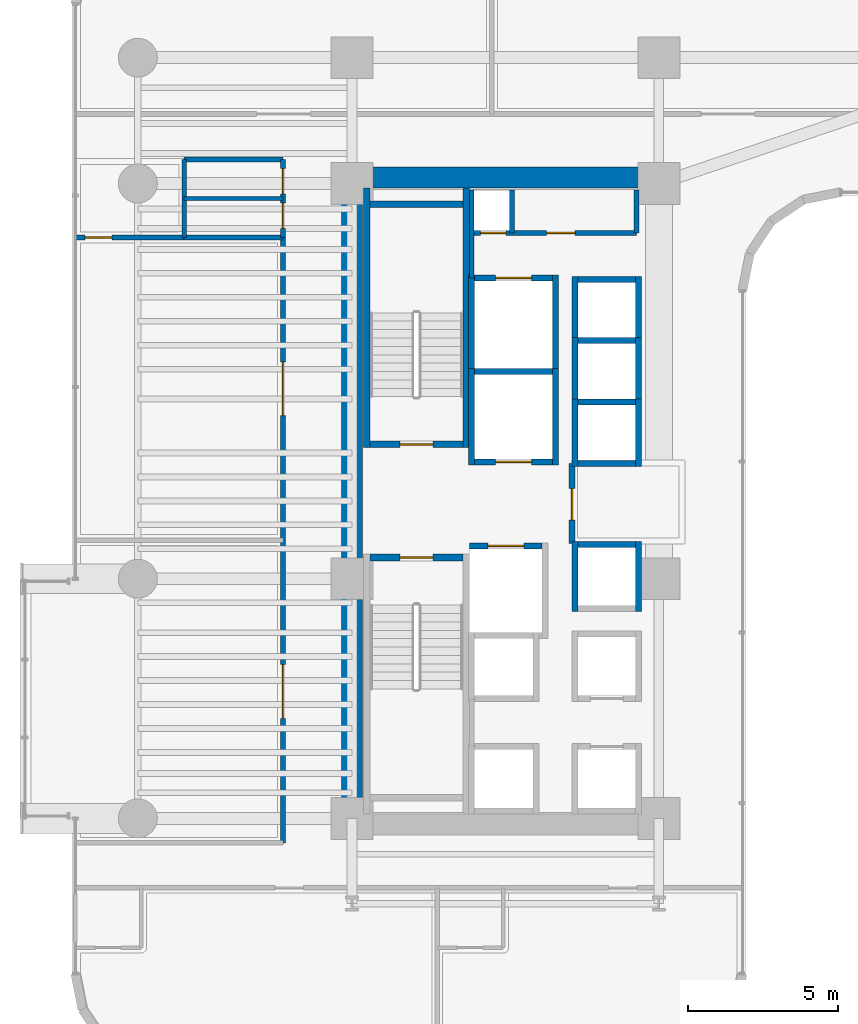
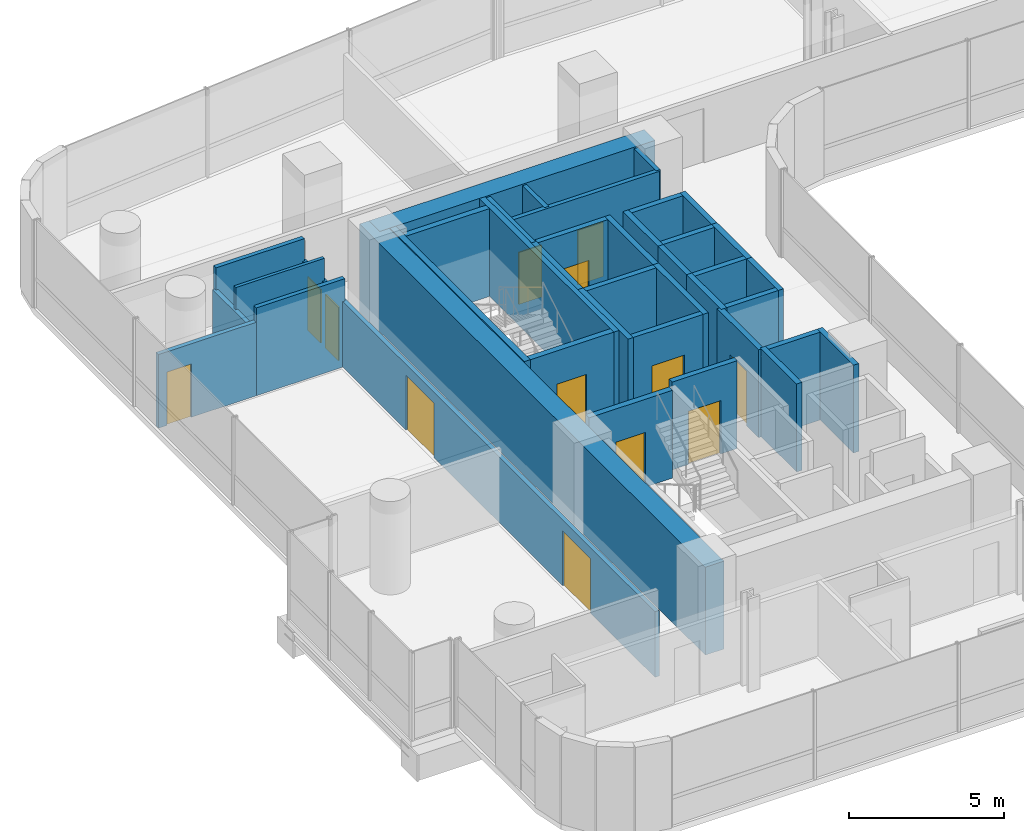
# One storey, part 31 of 40: 40 walls, 13 doors, 13 openings.
"""IFC4 building model written with IfcOpenShell, lengths in metres."""

from ifc_helpers import new_model, si_unit, direction, frame, frame_2d, origin, place, context, subcontext, project, spatial, rectangle, extrude, material, layer, layer_set, type_object, element, fill, save


model = new_model("IFC4")

# Units and contexts
model_context = context("Model", 3, precision=1e-05, world=origin(), true_north=direction((0.0, 1.0)))
body_context = subcontext(model_context, "Body", "Model", "MODEL_VIEW")
ifc_project = project(units=[si_unit("LENGTHUNIT", "METRE"), si_unit("AREAUNIT", "SQUARE_METRE"), si_unit("VOLUMEUNIT", "CUBIC_METRE"), si_unit("PLANEANGLEUNIT", "RADIAN"), si_unit("MASSUNIT", "GRAM", prefix="KILO")], contexts=[model_context])

# Site, building, storey
site_placement = place(None, origin())
site = spatial("IfcSite", under=ifc_project, at=site_placement, CompositionType="ELEMENT")
building_placement = place(site_placement, origin())
building = spatial("IfcBuilding", under=site, at=building_placement, Name="Valdorenza Pilgrim Sanctuary Tower", CompositionType="ELEMENT")
storey_placement = place(building_placement, frame((0.0, 0.0, 66.699951171875)))
storey = spatial("IfcBuildingStorey", under=building, at=storey_placement, Name="L16", CompositionType="ELEMENT", Elevation=66.699951171875)

# Wall
ifc_material_1 = material(Name="Acoustic twin-stud gypsum partition", Category="gypsum")
ifc_layer_1 = layer(ifc_material_1, 0.159912109375, Name="Acoustic twin-stud gypsum partition")
ifc_layer_set_1 = layer_set([ifc_layer_1], Name="Acoustic twin-stud gypsum partition")
wall_type_1 = type_object("IfcWallType", Name="WAL-COR-160", PredefinedType="PARTITIONING", material=ifc_layer_set_1)
wall_1_placement = place(storey_placement, frame((-18.64990234375, 7.449951171875, 0.0), z_axis=(0.0, 0.0, 1.0), x_axis=(0.0, 1.0, 0.0)))
element("IfcWall", 1, at=wall_1_placement, inside=storey, type_object=wall_type_1, Name="L16 Core A North Service West Wall", PredefinedType="PARTITIONING", context=body_context, shape_type="SweptSolid", body=[
    extrude(rectangle(XDim=2.929931640625, YDim=0.159912109375, at=frame_2d((1.46484375, 0.0))), origin(), (0.0, 0.0, 1.0), 3.4599609375),
])

# Wall, openings, doors
wall_2_placement = place(storey_placement, frame((-18.64990234375, 8.949951171875, 0.0), z_axis=(0.0, 0.0, 1.0), x_axis=(1.0, 0.0, 0.0)))
wall_2 = element("IfcWall", 2, at=wall_2_placement, inside=storey, type_object=wall_type_1, Name="L16 Core A North Service South Wall", PredefinedType="PARTITIONING", context=body_context, shape_type="SweptSolid", body=[
    extrude(rectangle(XDim=5.5, YDim=0.159912109375, at=frame_2d((2.75, 0.0))), origin(), (0.0, 0.0, 1.0), 3.4599609375),
])
opening_1_placement = place(wall_2_placement, frame((0.300048828125, 0.0, 0.0)))
opening_1 = element("IfcOpeningElement", 3, at=opening_1_placement, cuts=wall_2, Name="Opening DR-RS1", PredefinedType="OPENING", context=body_context, shape_type="SweptSolid", body=[
    extrude(rectangle(XDim=0.85009765625, YDim=2.050048828125, at=frame_2d((0.425048828125, 1.02490234375))), frame((0.0, 0.0947265625, 0.0), z_axis=(0.0, -1.0, 0.0), x_axis=(1.0, 0.0, 0.0)), (0.0, 0.0, 1.0), 0.189697265625),
])
opening_2_placement = place(wall_2_placement, frame((2.5, 0.0, 0.0)))
opening_2 = element("IfcOpeningElement", 4, at=opening_2_placement, cuts=wall_2, Name="Opening DR-UN1", PredefinedType="OPENING", context=body_context, shape_type="SweptSolid", body=[
    extrude(rectangle(XDim=0.949951171875, YDim=2.14990234375, at=frame_2d((0.47509765625, 1.074951171875))), frame((0.0, 0.0947265625, 0.0), z_axis=(0.0, -1.0, 0.0), x_axis=(1.0, 0.0, 0.0)), (0.0, 0.0, 1.0), 0.189697265625),
])
ifc_material_2 = material(Name="Painted galvanized steel", Category="steel")
door_type_1 = type_object("IfcDoorType", Name="DR-RSR-850", OperationType="NOTDEFINED", PredefinedType="DOOR", material=ifc_material_2)
door_1_placement = place(opening_1_placement, origin())
door_1 = element("IfcDoor", 5, at=door_1_placement, inside=storey, type_object=door_type_1, Name="L16 Core Electrical and Telecom Riser Door", OperationType="SINGLE_SWING_LEFT", OverallHeight=2.050048828125, OverallWidth=0.85009765625, PredefinedType="DOOR", context=body_context, shape_type="SweptSolid", body=[
    extrude(rectangle(XDim=0.85009765625, YDim=2.050048828125, at=frame_2d((0.425048828125, 1.02490234375))), frame((0.0, 0.02490234375, 0.0), z_axis=(0.0, -1.0, 0.0), x_axis=(1.0, 0.0, 0.0)), (0.0, 0.0, 1.0), 0.050048828125),
])
fill(opening_1, door_1)
ifc_material_3 = material(Name="Solid-core European oak timber", Category="wood")
door_type_2 = type_object("IfcDoorType", Name="DR-UNIT-950", OperationType="NOTDEFINED", PredefinedType="DOOR", material=ifc_material_3)
door_2_placement = place(opening_2_placement, origin())
door_2 = element("IfcDoor", 6, at=door_2_placement, inside=storey, type_object=door_type_2, Name="L16 Housekeeping and Clean Linen Room Door", OperationType="SINGLE_SWING_RIGHT", OverallHeight=2.14990234375, OverallWidth=0.949951171875, PredefinedType="DOOR", context=body_context, shape_type="SweptSolid", body=[
    extrude(rectangle(XDim=0.949951171875, YDim=2.14990234375, at=frame_2d((0.47509765625, 1.074951171875))), frame((0.0, 0.02490234375, 0.0), z_axis=(0.0, -1.0, 0.0), x_axis=(1.0, 0.0, 0.0)), (0.0, 0.0, 1.0), 0.050048828125),
])
fill(opening_2, door_2)

# Walls
for number, where, z_axis, x_axis, name in (
    (7, (-13.14990234375, 8.949951171875, 0.0), (0.0, 0.0, 1.0), (0.0, 1.0, 0.0), "L16 Core A North Service East Wall"),
    (8, (-17.300048828125, 8.949951171875, 0.0), (0.0, 0.0, 1.0), (0.0, 1.0, 0.0), "L16 Core Electrical Riser Wall"),
):
    element("IfcWall", number, at=place(storey_placement, frame(where, z_axis=z_axis, x_axis=x_axis)), inside=storey, type_object=wall_type_1, Name=name, PredefinedType="PARTITIONING", context=body_context, shape_type="SweptSolid", body=[
        extrude(rectangle(XDim=1.429931640625, YDim=0.159912109375, at=frame_2d((0.71484375, 0.0))), origin(), (0.0, 0.0, 1.0), 3.4599609375),
    ])
wall_3_placement = place(storey_placement, frame((-28.25, 8.800048828125, 0.0), z_axis=(0.0, 0.0, 1.0), x_axis=(0.0, 1.0, 0.0)))
element("IfcWall", 9, at=wall_3_placement, inside=storey, type_object=wall_type_1, Name="L16 Washroom West Wall", PredefinedType="PARTITIONING", context=body_context, shape_type="SweptSolid", body=[
    extrude(rectangle(XDim=2.599853515625, YDim=0.159912109375, at=frame_2d((1.2998046875, 0.0))), origin(), (0.0, 0.0, 1.0), 2.5830078125),
])

# Wall, openings, doors
wall_4_placement = place(storey_placement, frame((-24.949951171875, 8.800048828125, 0.0), z_axis=(0.0, 0.0, 1.0), x_axis=(0.0, 1.0, 0.0)))
wall_4 = element("IfcWall", 10, at=wall_4_placement, inside=storey, type_object=wall_type_1, Name="L16 Washroom East Wall", PredefinedType="PARTITIONING", context=body_context, shape_type="SweptSolid", body=[
    extrude(rectangle(XDim=2.599853515625, YDim=0.159912109375, at=frame_2d((1.2998046875, 0.0))), origin(), (0.0, 0.0, 1.0), 2.5830078125),
])
opening_3_placement = place(wall_4_placement, frame((0.300048828125, 0.0, 0.0)))
opening_3 = element("IfcOpeningElement", 11, at=opening_3_placement, cuts=wall_4, Name="Opening DR-WC1", PredefinedType="OPENING", context=body_context, shape_type="SweptSolid", body=[
    extrude(rectangle(XDim=0.85009765625, YDim=2.10009765625, at=frame_2d((0.425048828125, 1.050048828125))), frame((0.0, 0.0947265625, 0.0), z_axis=(0.0, -1.0, 0.0), x_axis=(1.0, 0.0, 0.0)), (0.0, 0.0, 1.0), 0.189697265625),
])
opening_4_placement = place(wall_4_placement, frame((1.449951171875, 0.0, 0.0)))
opening_4 = element("IfcOpeningElement", 12, at=opening_4_placement, cuts=wall_4, Name="Opening DR-WC1", PredefinedType="OPENING", context=body_context, shape_type="SweptSolid", body=[
    extrude(rectangle(XDim=0.85009765625, YDim=2.10009765625, at=frame_2d((0.425048828125, 1.050048828125))), frame((0.0, 0.0947265625, 0.0), z_axis=(0.0, -1.0, 0.0), x_axis=(1.0, 0.0, 0.0)), (0.0, 0.0, 1.0), 0.189697265625),
])
ifc_material_4 = material(Name="Moisture-resistant lacquered timber", Category="wood")
door_type_3 = type_object("IfcDoorType", Name="DR-BATH-850", OperationType="NOTDEFINED", PredefinedType="DOOR", material=ifc_material_4)
door_3_placement = place(opening_3_placement, origin())
door_3 = element("IfcDoor", 13, at=door_3_placement, inside=storey, type_object=door_type_3, Name="L16 Accessible Washroom Door", OperationType="SINGLE_SWING_LEFT", OverallHeight=2.10009765625, OverallWidth=0.85009765625, PredefinedType="DOOR", context=body_context, shape_type="SweptSolid", body=[
    extrude(rectangle(XDim=0.85009765625, YDim=2.10009765625, at=frame_2d((0.425048828125, 1.050048828125))), frame((0.0, 0.02490234375, 0.0), z_axis=(0.0, -1.0, 0.0), x_axis=(1.0, 0.0, 0.0)), (0.0, 0.0, 1.0), 0.050048828125),
])
fill(opening_3, door_3)
door_4_placement = place(opening_4_placement, origin())
door_4 = element("IfcDoor", 14, at=door_4_placement, inside=storey, type_object=door_type_3, Name="L16 Public Washroom Door", OperationType="SINGLE_SWING_RIGHT", OverallHeight=2.10009765625, OverallWidth=0.85009765625, PredefinedType="DOOR", context=body_context, shape_type="SweptSolid", body=[
    extrude(rectangle(XDim=0.85009765625, YDim=2.10009765625, at=frame_2d((0.425048828125, 1.050048828125))), frame((0.0, 0.02490234375, 0.0), z_axis=(0.0, -1.0, 0.0), x_axis=(1.0, 0.0, 0.0)), (0.0, 0.0, 1.0), 0.050048828125),
])
fill(opening_4, door_4)

# Walls
for number, where, z_axis, x_axis, name in (
    (15, (-28.25, 8.800048828125, 0.0), (0.0, 0.0, 1.0), (1.0, 0.0, 0.0), "L16 Washroom South Wall"),
    (16, (-28.25, 11.39990234375, 0.0), (0.0, 0.0, 1.0), (1.0, 0.0, 0.0), "L16 Washroom North Wall"),
):
    element("IfcWall", number, at=place(storey_placement, frame(where, z_axis=z_axis, x_axis=x_axis)), inside=storey, type_object=wall_type_1, Name=name, PredefinedType="PARTITIONING", context=body_context, shape_type="SweptSolid", body=[
        extrude(rectangle(XDim=3.300048828125, YDim=0.159912109375, at=frame_2d((1.64990234375, 0.0))), origin(), (0.0, 0.0, 1.0), 3.4599609375),
    ])

# Wall, openings, doors
wall_5_placement = place(storey_placement, frame((-24.949951171875, -11.419921875, 0.0), z_axis=(0.0, 0.0, 1.0), x_axis=(0.0, 1.0, 0.0)))
wall_5 = element("IfcWall", 17, at=wall_5_placement, inside=storey, type_object=wall_type_1, Name="L16 West Wing Corridor Wall", PredefinedType="PARTITIONING", context=body_context, shape_type="SweptSolid", body=[
    extrude(rectangle(XDim=20.219970703125, YDim=0.159912109375, at=frame_2d((10.10986328125, 0.0))), origin(), (0.0, 0.0, 1.0), 2.5830078125),
])
opening_5_placement = place(wall_5_placement, frame((4.155029296875, 0.0, 0.0)))
opening_5 = element("IfcOpeningElement", 18, at=opening_5_placement, cuts=wall_5, Name="Opening DR-HL1", PredefinedType="OPENING", context=body_context, shape_type="SweptSolid", body=[
    extrude(rectangle(XDim=1.800048828125, YDim=2.14990234375, at=frame_2d((0.89990234375, 1.074951171875))), frame((0.0, 0.0947265625, 0.0), z_axis=(0.0, -1.0, 0.0), x_axis=(1.0, 0.0, 0.0)), (0.0, 0.0, 1.0), 0.189697265625),
])
opening_6_placement = place(wall_5_placement, frame((14.264892578125, 0.0, 0.0)))
opening_6 = element("IfcOpeningElement", 19, at=opening_6_placement, cuts=wall_5, Name="Opening DR-HL1", PredefinedType="OPENING", context=body_context, shape_type="SweptSolid", body=[
    extrude(rectangle(XDim=1.800048828125, YDim=2.14990234375, at=frame_2d((0.89990234375, 1.074951171875))), frame((0.0, 0.0947265625, 0.0), z_axis=(0.0, -1.0, 0.0), x_axis=(1.0, 0.0, 0.0)), (0.0, 0.0, 1.0), 0.189697265625),
])
ifc_material_5 = material(Name="Acoustic oak and vision-glass double door", Category="glass")
door_type_4 = type_object("IfcDoorType", Name="DR-HALL-1800", OperationType="NOTDEFINED", PredefinedType="DOOR", material=ifc_material_5)
door_5_placement = place(opening_5_placement, origin())
door_5 = element("IfcDoor", 20, at=door_5_placement, inside=storey, type_object=door_type_4, Name="L16 Theological Seminar Classroom L16-WH1 Door", OperationType="DOUBLE_DOOR_SINGLE_SWING", OverallHeight=2.14990234375, OverallWidth=1.800048828125, PredefinedType="DOOR", context=body_context, shape_type="SweptSolid", body=[
    extrude(rectangle(XDim=1.800048828125, YDim=2.14990234375, at=frame_2d((0.89990234375, 1.074951171875))), frame((0.0, 0.02490234375, 0.0), z_axis=(0.0, -1.0, 0.0), x_axis=(1.0, 0.0, 0.0)), (0.0, 0.0, 1.0), 0.050048828125),
])
fill(opening_5, door_5)
door_6_placement = place(opening_6_placement, frame((1.800048828125, 0.0, 0.0), z_axis=(0.0, 0.0, 1.0), x_axis=(-1.0, 0.0, 0.0)))
door_6 = element("IfcDoor", 21, at=door_6_placement, inside=storey, type_object=door_type_4, Name="L16 Theological Seminar Classroom L16-WH2 Door", OperationType="DOUBLE_DOOR_SINGLE_SWING", OverallHeight=2.14990234375, OverallWidth=1.800048828125, PredefinedType="DOOR", context=body_context, shape_type="SweptSolid", body=[
    extrude(rectangle(XDim=1.800048828125, YDim=2.14990234375, at=frame_2d((0.89990234375, 1.074951171875))), frame((0.0, 0.02490234375, 0.0), z_axis=(0.0, -1.0, 0.0), x_axis=(1.0, 0.0, 0.0)), (0.0, 0.0, 1.0), 0.050048828125),
])
fill(opening_6, door_6)

# Wall, opening, door
wall_6_placement = place(storey_placement, frame((-31.889892578125, 8.800048828125, 0.0), z_axis=(0.0, 0.0, 1.0), x_axis=(1.0, 0.0, 0.0)))
wall_6 = element("IfcWall", 22, at=wall_6_placement, inside=storey, type_object=wall_type_1, Name="L16 West North Alcove Wall", PredefinedType="PARTITIONING", context=body_context, shape_type="SweptSolid", body=[
    extrude(rectangle(XDim=3.639892578125, YDim=0.159912109375, at=frame_2d((1.81982421875, 0.0))), origin(), (0.0, 0.0, 1.0), 2.89599609375),
])
opening_7_placement = place(wall_6_placement, frame((0.320068359375, 0.0, 0.0)))
opening_7 = element("IfcOpeningElement", 23, at=opening_7_placement, cuts=wall_6, Name="Opening DR-RM1", PredefinedType="OPENING", context=body_context, shape_type="SweptSolid", body=[
    extrude(rectangle(XDim=0.89990234375, YDim=2.10009765625, at=frame_2d((0.449951171875, 1.050048828125))), frame((0.0, 0.0947265625, 0.0), z_axis=(0.0, -1.0, 0.0), x_axis=(1.0, 0.0, 0.0)), (0.0, 0.0, 1.0), 0.189697265625),
])
door_type_5 = type_object("IfcDoorType", Name="DR-ROOM-900", OperationType="NOTDEFINED", PredefinedType="DOOR", material=ifc_material_3)
door_7_placement = place(opening_7_placement, frame((0.89990234375, 0.0, 0.0), z_axis=(0.0, 0.0, 1.0), x_axis=(-1.0, 0.0, 0.0)))
door_7 = element("IfcDoor", 24, at=door_7_placement, inside=storey, type_object=door_type_5, Name="L16 Pilgrim Scholar Office L16-WN Door", OperationType="SINGLE_SWING_LEFT", OverallHeight=2.10009765625, OverallWidth=0.89990234375, PredefinedType="DOOR", context=body_context, shape_type="SweptSolid", body=[
    extrude(rectangle(XDim=0.89990234375, YDim=2.10009765625, at=frame_2d((0.449951171875, 1.050048828125))), frame((0.0, 0.02490234375, 0.0), z_axis=(0.0, -1.0, 0.0), x_axis=(1.0, 0.0, 0.0)), (0.0, 0.0, 1.0), 0.050048828125),
])
fill(opening_7, door_7)

# Walls
ifc_material_6 = material(Name="Concrete C60/75", Category="concrete")
ifc_layer_2 = layer(ifc_material_6, 0.699951171875, Name="Concrete C60/75")
ifc_layer_set_2 = layer_set([ifc_layer_2], Name="Concrete C60/75")
wall_type_2 = type_object("IfcWallType", Name="WAL-COR-700", PredefinedType="SHEAR", material=ifc_layer_set_2)
wall_7_placement = place(storey_placement, frame((-22.64990234375, -11.14990234375, 0.0), z_axis=(0.0, 0.0, 1.0), x_axis=(0.0, 1.0, 0.0)))
element("IfcWall", 25, at=wall_7_placement, inside=storey, type_object=wall_type_2, Name="L16 Split Core A Shear Wall W", PredefinedType="SHEAR", context=body_context, shape_type="SweptSolid", body=[
    extrude(rectangle(XDim=22.2998046875, YDim=0.699951171875, at=frame_2d((11.14990234375, 0.0))), origin(), (0.0, 0.0, 1.0), 3.4599609375),
])
wall_8_placement = place(storey_placement, frame((-22.64990234375, 10.800048828125, 0.0), z_axis=(0.0, 0.0, 1.0), x_axis=(1.0, 0.0, 0.0)))
element("IfcWall", 26, at=wall_8_placement, inside=storey, type_object=wall_type_2, Name="L16 Split Core A Shear Wall N", PredefinedType="SHEAR", context=body_context, shape_type="SweptSolid", body=[
    extrude(rectangle(XDim=10.25, YDim=0.699951171875, at=frame_2d((5.125, 0.0))), origin(), (0.0, 0.0, 1.0), 3.4599609375),
])

# Wall, opening, door
ifc_material_7 = material(Name="Gypsum shaftwall partition", Category="gypsum")
ifc_layer_3 = layer(ifc_material_7, 0.199951171875, Name="Gypsum shaftwall partition")
ifc_layer_set_3 = layer_set([ifc_layer_3], Name="Gypsum shaftwall partition")
wall_type_3 = type_object("IfcWallType", Name="WAL-FFL-200", PredefinedType="PARTITIONING", material=ifc_layer_set_3)
wall_9_placement = place(storey_placement, frame((-15.300048828125, -1.419921875, 0.0), z_axis=(0.0, 0.0, 1.0), x_axis=(0.0, 1.0, 0.0)))
wall_9 = element("IfcWall", 27, at=wall_9_placement, inside=storey, type_object=wall_type_3, Name="L16 Core A Firefighting Lobby East Wall", PredefinedType="PARTITIONING", context=body_context, shape_type="SweptSolid", body=[
    extrude(rectangle(XDim=2.669921875, YDim=0.199951171875, at=frame_2d((1.3349609375, 0.0))), origin(), (0.0, 0.0, 1.0), 3.4599609375),
])
opening_8_placement = place(wall_9_placement, frame((0.780029296875, 0.0, 0.0)))
opening_8 = element("IfcOpeningElement", 28, at=opening_8_placement, cuts=wall_9, Name="Opening DR-FL1", PredefinedType="OPENING", context=body_context, shape_type="SweptSolid", body=[
    extrude(rectangle(XDim=1.050048828125, YDim=2.14990234375, at=frame_2d((0.52490234375, 1.074951171875))), frame((0.0, 0.11474609375, 0.0), z_axis=(0.0, -1.0, 0.0), x_axis=(1.0, 0.0, 0.0)), (0.0, 0.0, 1.0), 0.229736328125),
])
door_type_6 = type_object("IfcDoorType", Name="DR-FFL-1050", OperationType="NOTDEFINED", PredefinedType="DOOR", material=ifc_material_2)
door_8_placement = place(opening_8_placement, origin())
door_8 = element("IfcDoor", 29, at=door_8_placement, inside=storey, type_object=door_type_6, Name="L16 Core A Firefighting Lobby Door", OperationType="SINGLE_SWING_RIGHT", OverallHeight=2.14990234375, OverallWidth=1.050048828125, PredefinedType="DOOR", context=body_context, shape_type="SweptSolid", body=[
    extrude(rectangle(XDim=1.050048828125, YDim=2.14990234375, at=frame_2d((0.52490234375, 1.074951171875))), frame((0.0, 0.02490234375, 0.0), z_axis=(0.0, -1.0, 0.0), x_axis=(1.0, 0.0, 0.0)), (0.0, 0.0, 1.0), 0.050048828125),
])
fill(opening_8, door_8)

# Walls
ifc_material_8 = material(Name="Moisture-resistant gypsum partition", Category="gypsum")
ifc_layer_4 = layer(ifc_material_8, 0.1201171875, Name="Moisture-resistant gypsum partition")
ifc_layer_set_4 = layer_set([ifc_layer_4], Name="Moisture-resistant gypsum partition")
wall_type_4 = type_object("IfcWallType", Name="WAL-INT-120", PredefinedType="PARTITIONING", material=ifc_layer_set_4)
wall_10_placement = place(storey_placement, frame((-28.25, 10.10009765625, 0.0), z_axis=(0.0, 0.0, 1.0), x_axis=(1.0, 0.0, 0.0)))
element("IfcWall", 30, at=wall_10_placement, inside=storey, type_object=wall_type_4, Name="L16 Washroom Divider Wall", PredefinedType="PARTITIONING", context=body_context, shape_type="SweptSolid", body=[
    extrude(rectangle(XDim=3.300048828125, YDim=0.1201171875, at=frame_2d((1.64990234375, 0.0))), origin(), (0.0, 0.0, 1.0), 3.4599609375),
])
ifc_material_9 = material(Name="Autoclaved aerated concrete blockwork", Category="masonry")
ifc_layer_5 = layer(ifc_material_9, 0.199951171875, Name="Autoclaved aerated concrete blockwork")
ifc_layer_set_5 = layer_set([ifc_layer_5], Name="Autoclaved aerated concrete blockwork")
wall_type_5 = type_object("IfcWallType", Name="WAL-SHF-200", PredefinedType="MOVABLE", material=ifc_layer_set_5)
for number, where, z_axis, x_axis, name in (
    (31, (-18.64990234375, 1.199951171875, 0.0), (0.0, 0.0, 1.0), (0.0, 1.0, 0.0), "L16 Lift FFL-01 Hoistway Wall West"),
    (32, (-15.85009765625, 1.199951171875, 0.0), (0.0, 0.0, 1.0), (0.0, 1.0, 0.0), "L16 Lift FFL-01 Hoistway Wall East"),
):
    element("IfcWall", number, at=place(storey_placement, frame(where, z_axis=z_axis, x_axis=x_axis)), inside=storey, type_object=wall_type_5, Name=name, PredefinedType="MOVABLE", context=body_context, shape_type="SweptSolid", body=[
        extrude(rectangle(XDim=3.22509765625, YDim=0.199951171875, at=frame_2d((1.612548828125, 0.0))), origin(), (0.0, 0.0, 1.0), 3.4599609375),
    ])

# Wall, opening, door
wall_11_placement = place(storey_placement, frame((-18.550048828125, 1.300048828125, 0.0), z_axis=(0.0, 0.0, 1.0), x_axis=(1.0, 0.0, 0.0)))
wall_11 = element("IfcWall", 33, at=wall_11_placement, inside=storey, type_object=wall_type_5, Name="L16 Lift FFL-01 Hoistway Wall South", PredefinedType="MOVABLE", context=body_context, shape_type="SweptSolid", body=[
    extrude(rectangle(XDim=2.60009765625, YDim=0.199951171875, at=frame_2d((1.300048828125, 0.0))), origin(), (0.0, 0.0, 1.0), 3.4599609375),
])
opening_9_placement = place(wall_11_placement, frame((0.699951171875, 0.0, 0.0)))
opening_9 = element("IfcOpeningElement", 34, at=opening_9_placement, cuts=wall_11, Name="Opening LD-02", PredefinedType="OPENING", context=body_context, shape_type="SweptSolid", body=[
    extrude(rectangle(XDim=1.199951171875, YDim=2.10009765625, at=frame_2d((0.60009765625, 1.050048828125))), frame((0.0, 0.11474609375, 0.0), z_axis=(0.0, -1.0, 0.0), x_axis=(1.0, 0.0, 0.0)), (0.0, 0.0, 1.0), 0.229736328125),
])
ifc_material_10 = material(Name="Brushed stainless steel Grade 316", Category="steel")
door_type_7 = type_object("IfcDoorType", Name="DR-LFT-1200", OperationType="DOUBLE_DOOR_SLIDING", PredefinedType="DOOR", material=ifc_material_10)
door_9_placement = place(opening_9_placement, origin())
door_9 = element("IfcDoor", 35, at=door_9_placement, inside=storey, type_object=door_type_7, Name="L16 Lift FFL-01 Sliding Landing Door", OperationType="DOUBLE_DOOR_SLIDING", OverallHeight=2.10009765625, OverallWidth=1.199951171875, PredefinedType="DOOR", context=body_context, shape_type="SweptSolid", body=[
    extrude(rectangle(XDim=1.199951171875, YDim=2.10009765625, at=frame_2d((0.60009765625, 1.050048828125))), frame((0.0, 0.02490234375, 0.0), z_axis=(0.0, -1.0, 0.0), x_axis=(1.0, 0.0, 0.0)), (0.0, 0.0, 1.0), 0.050048828125),
])
fill(opening_9, door_9)

# Wall
wall_12_placement = place(storey_placement, frame((-18.550048828125, 4.324951171875, 0.0), z_axis=(0.0, 0.0, 1.0), x_axis=(1.0, 0.0, 0.0)))
element("IfcWall", 36, at=wall_12_placement, inside=storey, type_object=wall_type_5, Name="L16 Lift FFL-01 Hoistway Wall North", PredefinedType="MOVABLE", context=body_context, shape_type="SweptSolid", body=[
    extrude(rectangle(XDim=2.60009765625, YDim=0.199951171875, at=frame_2d((1.300048828125, 0.0))), origin(), (0.0, 0.0, 1.0), 3.4599609375),
])

# Wall, opening, door
wall_13_placement = place(storey_placement, frame((-18.719970703125, -1.5, 0.0), z_axis=(0.0, 0.0, 1.0), x_axis=(1.0, 0.0, 0.0)))
wall_13 = element("IfcWall", 37, at=wall_13_placement, inside=storey, type_object=wall_type_5, Name="L16 Lift FFL-02 Hoistway Wall North", PredefinedType="MOVABLE", context=body_context, shape_type="SweptSolid", body=[
    extrude(rectangle(XDim=2.419921875, YDim=0.199951171875, at=frame_2d((1.2099609375, 0.0))), origin(), (0.0, 0.0, 1.0), 3.4599609375),
])
opening_10_placement = place(wall_13_placement, frame((0.610107421875, 0.0, 0.0)))
opening_10 = element("IfcOpeningElement", 38, at=opening_10_placement, cuts=wall_13, Name="Opening LD-02", PredefinedType="OPENING", context=body_context, shape_type="SweptSolid", body=[
    extrude(rectangle(XDim=1.199951171875, YDim=2.10009765625, at=frame_2d((0.60009765625, 1.050048828125))), frame((0.0, 0.11474609375, 0.0), z_axis=(0.0, -1.0, 0.0), x_axis=(1.0, 0.0, 0.0)), (0.0, 0.0, 1.0), 0.229736328125),
])
door_10_placement = place(opening_10_placement, origin())
door_10 = element("IfcDoor", 39, at=door_10_placement, inside=storey, type_object=door_type_7, Name="L16 Lift FFL-02 Sliding Landing Door", OperationType="DOUBLE_DOOR_SLIDING", OverallHeight=2.10009765625, OverallWidth=1.199951171875, PredefinedType="DOOR", context=body_context, shape_type="SweptSolid", body=[
    extrude(rectangle(XDim=1.199951171875, YDim=2.10009765625, at=frame_2d((0.60009765625, 1.050048828125))), frame((0.0, 0.02490234375, 0.0), z_axis=(0.0, -1.0, 0.0), x_axis=(1.0, 0.0, 0.0)), (0.0, 0.0, 1.0), 0.050048828125),
])
fill(opening_10, door_10)

# Walls
for number, where, z_axis, x_axis, name in (
    (40, (-18.64990234375, 4.22509765625, 0.0), (0.0, 0.0, 1.0), (0.0, 1.0, 0.0), "L16 Lift SVL-01 Hoistway Wall West"),
    (41, (-15.85009765625, 4.22509765625, 0.0), (0.0, 0.0, 1.0), (0.0, 1.0, 0.0), "L16 Lift SVL-01 Hoistway Wall East"),
):
    element("IfcWall", number, at=place(storey_placement, frame(where, z_axis=z_axis, x_axis=x_axis)), inside=storey, type_object=wall_type_5, Name=name, PredefinedType="MOVABLE", context=body_context, shape_type="SweptSolid", body=[
        extrude(rectangle(XDim=3.324951171875, YDim=0.199951171875, at=frame_2d((1.66259765625, 0.0))), origin(), (0.0, 0.0, 1.0), 3.4599609375),
    ])

# Wall, opening, door
wall_14_placement = place(storey_placement, frame((-18.550048828125, 7.449951171875, 0.0), z_axis=(0.0, 0.0, 1.0), x_axis=(1.0, 0.0, 0.0)))
wall_14 = element("IfcWall", 42, at=wall_14_placement, inside=storey, type_object=wall_type_5, Name="L16 Lift SVL-01 Hoistway Wall North", PredefinedType="MOVABLE", context=body_context, shape_type="SweptSolid", body=[
    extrude(rectangle(XDim=2.60009765625, YDim=0.199951171875, at=frame_2d((1.300048828125, 0.0))), origin(), (0.0, 0.0, 1.0), 3.4599609375),
])
opening_11_placement = place(wall_14_placement, frame((0.699951171875, 0.0, 0.0)))
opening_11 = element("IfcOpeningElement", 43, at=opening_11_placement, cuts=wall_14, Name="Opening LD-02", PredefinedType="OPENING", context=body_context, shape_type="SweptSolid", body=[
    extrude(rectangle(XDim=1.199951171875, YDim=2.10009765625, at=frame_2d((0.60009765625, 1.050048828125))), frame((0.0, 0.11474609375, 0.0), z_axis=(0.0, -1.0, 0.0), x_axis=(1.0, 0.0, 0.0)), (0.0, 0.0, 1.0), 0.229736328125),
])
door_11_placement = place(opening_11_placement, origin())
door_11 = element("IfcDoor", 44, at=door_11_placement, inside=storey, type_object=door_type_7, Name="L16 Lift SVL-01 Sliding Landing Door", OperationType="DOUBLE_DOOR_SLIDING", OverallHeight=2.10009765625, OverallWidth=1.199951171875, PredefinedType="DOOR", context=body_context, shape_type="SweptSolid", body=[
    extrude(rectangle(XDim=1.199951171875, YDim=2.10009765625, at=frame_2d((0.60009765625, 1.050048828125))), frame((0.0, 0.02490234375, 0.0), z_axis=(0.0, -1.0, 0.0), x_axis=(1.0, 0.0, 0.0)), (0.0, 0.0, 1.0), 0.050048828125),
])
fill(opening_11, door_11)

# Walls
for number, where, z_axis, x_axis, name in (
    (45, (-15.199951171875, 1.14990234375, 0.0), (0.0, 0.0, 1.0), (0.0, 1.0, 0.0), "L16 Lift PL-06 Hoistway Wall West"),
    (46, (-13.080078125, 1.14990234375, 0.0), (0.0, 0.0, 1.0), (0.0, 1.0, 0.0), "L16 Lift PL-06 Hoistway Wall East"),
):
    element("IfcWall", number, at=place(storey_placement, frame(where, z_axis=z_axis, x_axis=x_axis)), inside=storey, type_object=wall_type_5, Name=name, PredefinedType="MOVABLE", context=body_context, shape_type="SweptSolid", body=[
        extrude(rectangle(XDim=2.25, YDim=0.199951171875, at=frame_2d((1.125, 0.0))), origin(), (0.0, 0.0, 1.0), 3.4599609375),
    ])
wall_15_placement = place(storey_placement, frame((-15.10009765625, 1.25, 0.0), z_axis=(0.0, 0.0, 1.0), x_axis=(1.0, 0.0, 0.0)))
element("IfcWall", 47, at=wall_15_placement, inside=storey, type_object=wall_type_5, Name="L16 Lift PL-06 Hoistway Wall South", PredefinedType="MOVABLE", context=body_context, shape_type="SweptSolid", body=[
    extrude(rectangle(XDim=1.920166015625, YDim=0.199951171875, at=frame_2d((0.9599609375, 0.0))), origin(), (0.0, 0.0, 1.0), 3.4599609375),
])
for number, where, z_axis, x_axis, name in (
    (48, (-15.199951171875, 3.199951171875, 0.0), (0.0, 0.0, 1.0), (0.0, 1.0, 0.0), "L16 Lift PL-09 Hoistway Wall West"),
    (49, (-13.080078125, 3.199951171875, 0.0), (0.0, 0.0, 1.0), (0.0, 1.0, 0.0), "L16 Lift PL-09 Hoistway Wall East"),
):
    element("IfcWall", number, at=place(storey_placement, frame(where, z_axis=z_axis, x_axis=x_axis)), inside=storey, type_object=wall_type_5, Name=name, PredefinedType="MOVABLE", context=body_context, shape_type="SweptSolid", body=[
        extrude(rectangle(XDim=2.25, YDim=0.199951171875, at=frame_2d((1.125, 0.0))), origin(), (0.0, 0.0, 1.0), 3.4599609375),
    ])
for number, where, z_axis, x_axis, name in (
    (50, (-15.10009765625, 3.300048828125, 0.0), (0.0, 0.0, 1.0), (1.0, 0.0, 0.0), "L16 Lift PL-09 Hoistway Wall South"),
    (51, (-15.10009765625, 5.35009765625, 0.0), (0.0, 0.0, 1.0), (1.0, 0.0, 0.0), "L16 Lift PL-09 Hoistway Wall North"),
):
    element("IfcWall", number, at=place(storey_placement, frame(where, z_axis=z_axis, x_axis=x_axis)), inside=storey, type_object=wall_type_5, Name=name, PredefinedType="MOVABLE", context=body_context, shape_type="SweptSolid", body=[
        extrude(rectangle(XDim=1.920166015625, YDim=0.199951171875, at=frame_2d((0.9599609375, 0.0))), origin(), (0.0, 0.0, 1.0), 3.4599609375),
    ])
for number, where, z_axis, x_axis, name in (
    (52, (-15.199951171875, 5.25, 0.0), (0.0, 0.0, 1.0), (0.0, 1.0, 0.0), "L16 Lift PL-10 Hoistway Wall West"),
    (53, (-13.080078125, 5.25, 0.0), (0.0, 0.0, 1.0), (0.0, 1.0, 0.0), "L16 Lift PL-10 Hoistway Wall East"),
):
    element("IfcWall", number, at=place(storey_placement, frame(where, z_axis=z_axis, x_axis=x_axis)), inside=storey, type_object=wall_type_5, Name=name, PredefinedType="MOVABLE", context=body_context, shape_type="SweptSolid", body=[
        extrude(rectangle(XDim=2.25, YDim=0.199951171875, at=frame_2d((1.125, 0.0))), origin(), (0.0, 0.0, 1.0), 3.4599609375),
    ])
wall_16_placement = place(storey_placement, frame((-15.10009765625, 7.39990234375, 0.0), z_axis=(0.0, 0.0, 1.0), x_axis=(1.0, 0.0, 0.0)))
element("IfcWall", 54, at=wall_16_placement, inside=storey, type_object=wall_type_5, Name="L16 Lift PL-10 Hoistway Wall North", PredefinedType="MOVABLE", context=body_context, shape_type="SweptSolid", body=[
    extrude(rectangle(XDim=1.920166015625, YDim=0.199951171875, at=frame_2d((0.9599609375, 0.0))), origin(), (0.0, 0.0, 1.0), 3.4599609375),
])
for number, where, z_axis, x_axis, name in (
    (55, (-15.199951171875, -3.699951171875, 0.0), (0.0, 0.0, 1.0), (0.0, 1.0, 0.0), "L16 Lift PL-12 Hoistway Wall West"),
    (56, (-13.080078125, -3.699951171875, 0.0), (0.0, 0.0, 1.0), (0.0, 1.0, 0.0), "L16 Lift PL-12 Hoistway Wall East"),
):
    element("IfcWall", number, at=place(storey_placement, frame(where, z_axis=z_axis, x_axis=x_axis)), inside=storey, type_object=wall_type_5, Name=name, PredefinedType="MOVABLE", context=body_context, shape_type="SweptSolid", body=[
        extrude(rectangle(XDim=2.349853515625, YDim=0.199951171875, at=frame_2d((1.1748046875, 0.0))), origin(), (0.0, 0.0, 1.0), 3.4599609375),
    ])
wall_17_placement = place(storey_placement, frame((-15.10009765625, -1.449951171875, 0.0), z_axis=(0.0, 0.0, 1.0), x_axis=(1.0, 0.0, 0.0)))
element("IfcWall", 57, at=wall_17_placement, inside=storey, type_object=wall_type_5, Name="L16 Lift PL-12 Hoistway Wall North", PredefinedType="MOVABLE", context=body_context, shape_type="SweptSolid", body=[
    extrude(rectangle(XDim=1.920166015625, YDim=0.199951171875, at=frame_2d((0.9599609375, 0.0))), origin(), (0.0, 0.0, 1.0), 3.4599609375),
])
ifc_material_11 = material(Name="Concrete C40/50", Category="concrete")
ifc_layer_6 = layer(ifc_material_11, 0.219970703125, Name="Concrete C40/50")
ifc_layer_set_6 = layer_set([ifc_layer_6], Name="Concrete C40/50")
wall_type_6 = type_object("IfcWallType", Name="WAL-STR-SHF-220", PredefinedType="SHEAR", material=ifc_layer_set_6)
for number, where, z_axis, x_axis, name in (
    (58, (-22.159912109375, 1.780029296875, 0.0), (0.0, 0.0, 1.0), (0.0, 1.0, 0.0), "L16 ST-A1 Structural Stairwell Wall W"),
    (59, (-18.830078125, 1.780029296875, 0.0), (0.0, 0.0, 1.0), (0.0, 1.0, 0.0), "L16 ST-A1 Structural Stairwell Wall E"),
):
    element("IfcWall", number, at=place(storey_placement, frame(where, z_axis=z_axis, x_axis=x_axis)), inside=storey, type_object=wall_type_6, Name=name, PredefinedType="SHEAR", context=body_context, shape_type="SweptSolid", body=[
        extrude(rectangle(XDim=8.669921875, YDim=0.219970703125, at=frame_2d((4.3349609375, 0.0))), origin(), (0.0, 0.0, 1.0), 3.4599609375),
    ])

# Wall, opening, door
wall_18_placement = place(storey_placement, frame((-22.050048828125, 1.889892578125, 0.0), z_axis=(0.0, 0.0, 1.0), x_axis=(1.0, 0.0, 0.0)))
wall_18 = element("IfcWall", 60, at=wall_18_placement, inside=storey, type_object=wall_type_6, Name="L16 ST-A1 Structural Stairwell Wall S", PredefinedType="SHEAR", context=body_context, shape_type="SweptSolid", body=[
    extrude(rectangle(XDim=3.110107421875, YDim=0.219970703125, at=frame_2d((1.55517578125, 0.0))), origin(), (0.0, 0.0, 1.0), 3.4599609375),
])
opening_12_placement = place(wall_18_placement, frame((1.0, 0.0, 0.0)))
opening_12 = element("IfcOpeningElement", 61, at=opening_12_placement, cuts=wall_18, Name="Opening DR-ST1", PredefinedType="OPENING", context=body_context, shape_type="SweptSolid", body=[
    extrude(rectangle(XDim=1.10009765625, YDim=2.14990234375, at=frame_2d((0.550048828125, 1.074951171875))), frame((0.0, 0.125, 0.0), z_axis=(0.0, -1.0, 0.0), x_axis=(1.0, 0.0, 0.0)), (0.0, 0.0, 1.0), 0.249755859375),
])
door_type_8 = type_object("IfcDoorType", Name="DR-STAIR-1100", OperationType="NOTDEFINED", PredefinedType="DOOR", material=ifc_material_2)
door_12_placement = place(opening_12_placement, frame((1.10009765625, 0.0, 0.0), z_axis=(0.0, 0.0, 1.0), x_axis=(-1.0, 0.0, 0.0)))
door_12 = element("IfcDoor", 62, at=door_12_placement, inside=storey, type_object=door_type_8, Name="L16 Exit Stair ST-A1 Door", OperationType="SINGLE_SWING_LEFT", OverallHeight=2.14990234375, OverallWidth=1.10009765625, PredefinedType="DOOR", context=body_context, shape_type="SweptSolid", body=[
    extrude(rectangle(XDim=1.10009765625, YDim=2.14990234375, at=frame_2d((0.550048828125, 1.074951171875))), frame((0.0, 0.02490234375, 0.0), z_axis=(0.0, -1.0, 0.0), x_axis=(1.0, 0.0, 0.0)), (0.0, 0.0, 1.0), 0.050048828125),
])
fill(opening_12, door_12)

# Wall
wall_19_placement = place(storey_placement, frame((-22.050048828125, 9.909912109375, 0.0), z_axis=(0.0, 0.0, 1.0), x_axis=(1.0, 0.0, 0.0)))
element("IfcWall", 63, at=wall_19_placement, inside=storey, type_object=wall_type_6, Name="L16 ST-A1 Structural Stairwell Wall N", PredefinedType="SHEAR", context=body_context, shape_type="SweptSolid", body=[
    extrude(rectangle(XDim=3.110107421875, YDim=0.219970703125, at=frame_2d((1.55517578125, 0.0))), origin(), (0.0, 0.0, 1.0), 3.4599609375),
])

# Wall, opening, door
wall_20_placement = place(storey_placement, frame((-22.050048828125, -1.889892578125, 0.0), z_axis=(0.0, 0.0, 1.0), x_axis=(1.0, 0.0, 0.0)))
wall_20 = element("IfcWall", 64, at=wall_20_placement, inside=storey, type_object=wall_type_6, Name="L16 ST-A2 Structural Stairwell Wall N", PredefinedType="SHEAR", context=body_context, shape_type="SweptSolid", body=[
    extrude(rectangle(XDim=3.110107421875, YDim=0.219970703125, at=frame_2d((1.55517578125, 0.0))), origin(), (0.0, 0.0, 1.0), 3.4599609375),
])
opening_13_placement = place(wall_20_placement, frame((1.0, 0.0, 0.0)))
opening_13 = element("IfcOpeningElement", 65, at=opening_13_placement, cuts=wall_20, Name="Opening DR-ST1", PredefinedType="OPENING", context=body_context, shape_type="SweptSolid", body=[
    extrude(rectangle(XDim=1.10009765625, YDim=2.14990234375, at=frame_2d((0.550048828125, 1.074951171875))), frame((0.0, 0.125, 0.0), z_axis=(0.0, -1.0, 0.0), x_axis=(1.0, 0.0, 0.0)), (0.0, 0.0, 1.0), 0.249755859375),
])
door_13_placement = place(opening_13_placement, origin())
door_13 = element("IfcDoor", 66, at=door_13_placement, inside=storey, type_object=door_type_8, Name="L16 Exit Stair ST-A2 Door", OperationType="SINGLE_SWING_RIGHT", OverallHeight=2.14990234375, OverallWidth=1.10009765625, PredefinedType="DOOR", context=body_context, shape_type="SweptSolid", body=[
    extrude(rectangle(XDim=1.10009765625, YDim=2.14990234375, at=frame_2d((0.550048828125, 1.074951171875))), frame((0.0, 0.02490234375, 0.0), z_axis=(0.0, -1.0, 0.0), x_axis=(1.0, 0.0, 0.0)), (0.0, 0.0, 1.0), 0.050048828125),
])
fill(opening_13, door_13)

save(model, "model.ifc")
